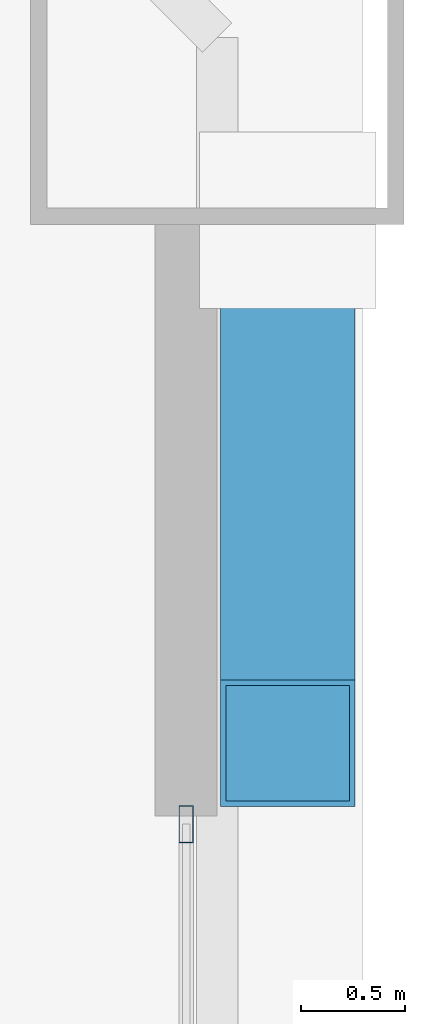
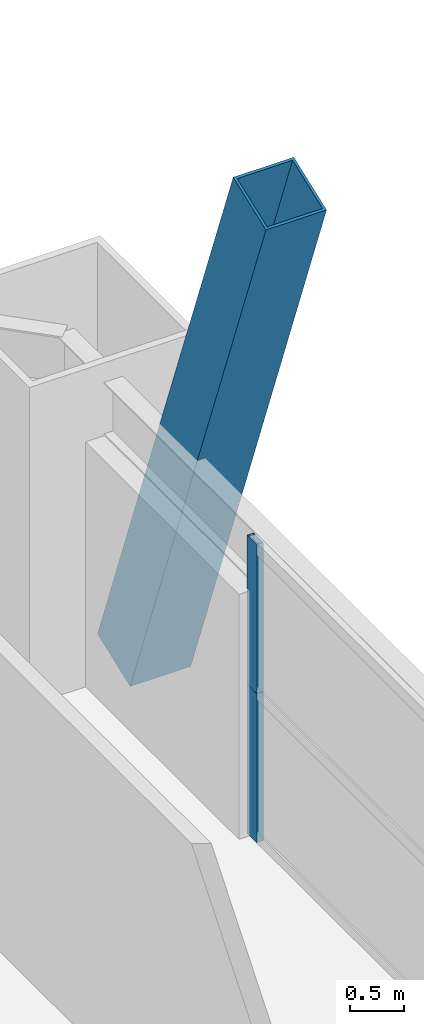
# One storey, part 34 of 43: 3 members, 1 element without a shape of its own.
"""IFC4 building model written with IfcOpenShell, lengths in metres."""

from ifc_helpers import new_model, si_unit, direction, frame, origin, origin_2d, place, context, subcontext, project, spatial, hollow_rectangle, extrude, source, transform, mapped, material, layer, layer_set, material_profile, profile_set, type_object, element, aggregate, save


model = new_model("IFC4")

# Units and contexts
model_context = context("Model", 3, precision=1e-05, world=origin(), true_north=direction((0.0, 1.0)))
body_context = subcontext(model_context, "Body", "Model", "MODEL_VIEW")
ifc_project = project(units=[si_unit("LENGTHUNIT", "METRE"), si_unit("AREAUNIT", "SQUARE_METRE"), si_unit("VOLUMEUNIT", "CUBIC_METRE"), si_unit("PLANEANGLEUNIT", "RADIAN"), si_unit("MASSUNIT", "GRAM", prefix="KILO"), si_unit("THERMODYNAMICTEMPERATUREUNIT", "KELVIN"), si_unit("POWERUNIT", "WATT")], contexts=[model_context])

# Site, building, storey
site_placement = place(None, origin())
site = spatial("IfcSite", under=ifc_project, at=site_placement, CompositionType="ELEMENT")
building_placement = place(site_placement, origin())
building = spatial("IfcBuilding", under=site, at=building_placement, Name="Yuzanri Waterfront Tower", CompositionType="ELEMENT")
storey_placement = place(building_placement, frame((0.0, 0.0, 53.199951171875)))
storey = spatial("IfcBuildingStorey", under=building, at=storey_placement, Name="L13", CompositionType="ELEMENT", Elevation=53.199951171875)

# Member
ifc_material_1 = material(Name="Steel Q420GJC", Category="steel")
ifc_material_profile_1 = material_profile(ifc_material_1, hollow_rectangle(XDim=0.64990234375, YDim=0.64990234375, WallThickness=0.028076171875, at=origin_2d()), Name="RHS 650x650x28")
ifc_profile_set_1 = profile_set([ifc_material_profile_1], Name="Steel Q420GJC")
member_type_1 = type_object("IfcMemberType", Name="Mega Brace Lower Q420GJC RHS 650x650x28", PredefinedType="BRACE", material=ifc_profile_set_1)
shared_shape_1 = source(origin(), body_context, "Body", "SweptSolid", [
    extrude(hollow_rectangle(XDim=0.64990234375, YDim=0.64990234375, WallThickness=0.028076171875, at=origin_2d()), origin(), (0.0, 0.0, 1.0), 7.158447265625),
])
member_1_placement = place(storey_placement, frame((62.43994140625, 46.419921875, 0.179931640625), z_axis=(0.0, -0.352035242291, 0.935986745731), x_axis=(1.0, 0.0, 0.0)))
element("IfcMember", 1, at=member_1_placement, inside=storey, type_object=member_type_1, Name="L13-L14 Perimeter Mega-Brace E-R", PredefinedType="BRACE", context=body_context, shape_type="MappedRepresentation", body=[
    mapped(shared_shape_1, transform((0.0, 0.0, 0.0), scale=1.0)),
])

# Curtain wall, members
ifc_material_2 = material(Name="Anodized Architectural Bronze", Category="metal")
ifc_layer = layer(ifc_material_2, 0.159912109375)
ifc_layer_set = layer_set([ifc_layer], Name="Anodized Architectural Bronze")
curtain_wall_type = type_object("IfcCurtainWallType", Name="Anodized Bronze Hotel Lower-Tier Recessed Unitized Curtain Wall 8100", PredefinedType="NOTDEFINED", material=ifc_layer_set)
curtain_wall_placement = place(storey_placement, origin())
curtain_wall = element("IfcCurtainWall", 2, at=curtain_wall_placement, inside=storey, type_object=curtain_wall_type, Name="L13 Curtain Wall CW-L13-ER", PredefinedType="NOTDEFINED")
ifc_material_3 = material(Name="Anodized Architectural Bronze", Category="metal")
ifc_material_profile_2 = material_profile(ifc_material_3, hollow_rectangle(XDim=0.070068359375, YDim=0.179931640625, WallThickness=0.00390625, at=origin_2d()), Name="CWM 70x180")
ifc_profile_set_2 = profile_set([ifc_material_profile_2], Name="Anodized Architectural Bronze")
member_type_2 = type_object("IfcMemberType", Name="Anodized Bronze Standard Curtain-Wall Mullion 70x180", PredefinedType="MULLION", material=ifc_profile_set_2)
shared_shape_2 = source(origin(), body_context, "Body", "SweptSolid", [
    extrude(hollow_rectangle(XDim=0.070068359375, YDim=0.179931640625, WallThickness=0.00390625, at=origin_2d()), origin(), (0.0, 0.0, 1.0), 1.68798828125),
])
member_2_placement = place(storey_placement, frame((61.949951171875, 43.510009765625, 0.0), z_axis=(0.0, 0.0, 1.0), x_axis=(1.0, 0.0, 0.0)))
member_2 = element("IfcMember", 3, at=member_2_placement, type_object=member_type_2, Name="CW-L13-ER Lower Mullion 02", PredefinedType="MULLION", context=body_context, shape_type="MappedRepresentation", body=[
    mapped(shared_shape_2, transform((0.0, 0.0, 0.0), scale=1.0)),
])
member_3_placement = place(storey_placement, frame((61.949951171875, 43.510009765625, 1.692138671875), z_axis=(0.0, 0.0, 1.0), x_axis=(1.0, 0.0, 0.0)))
member_3 = element("IfcMember", 4, at=member_3_placement, type_object=member_type_2, Name="CW-L13-ER Upper Mullion 02", PredefinedType="MULLION", context=body_context, shape_type="MappedRepresentation", body=[
    mapped(shared_shape_2, transform((0.0, 0.0, 0.0), scale=1.0)),
])
aggregate(curtain_wall, [member_2, member_3])

save(model, "model.ifc")
